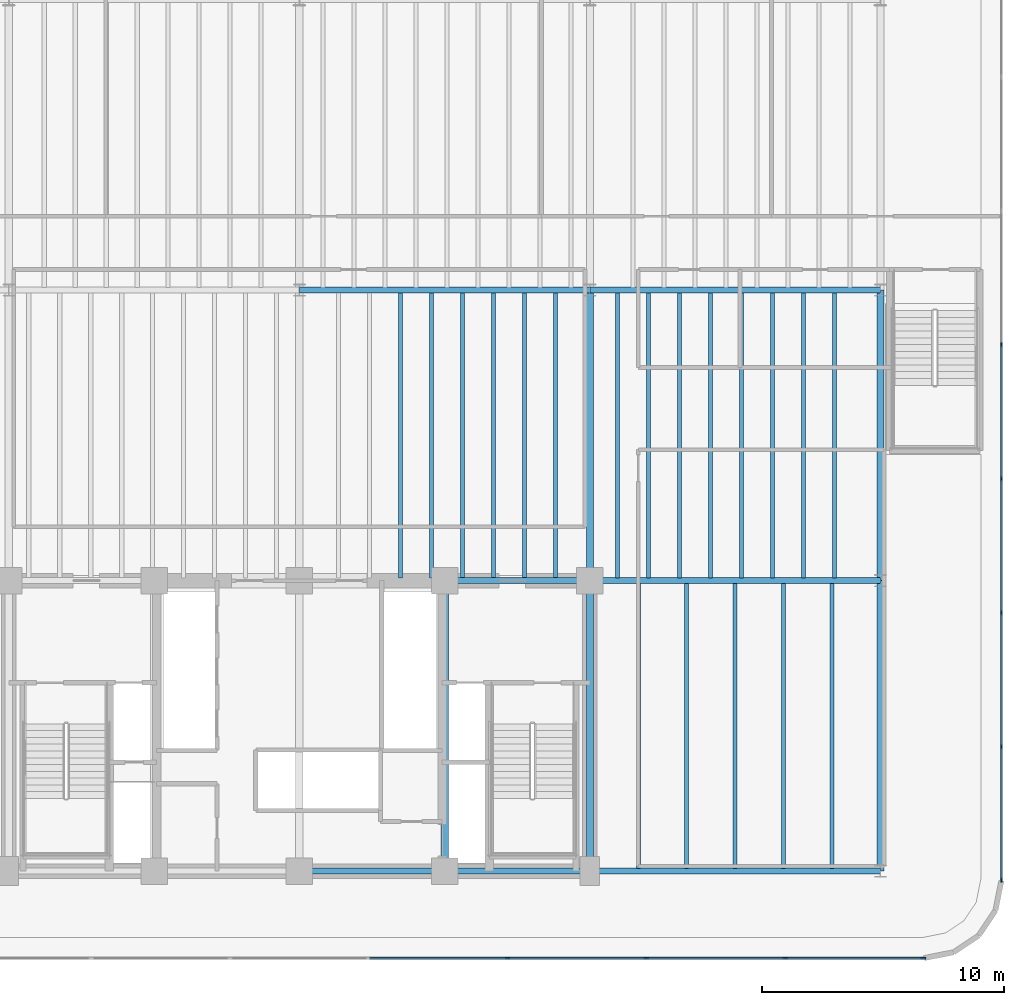
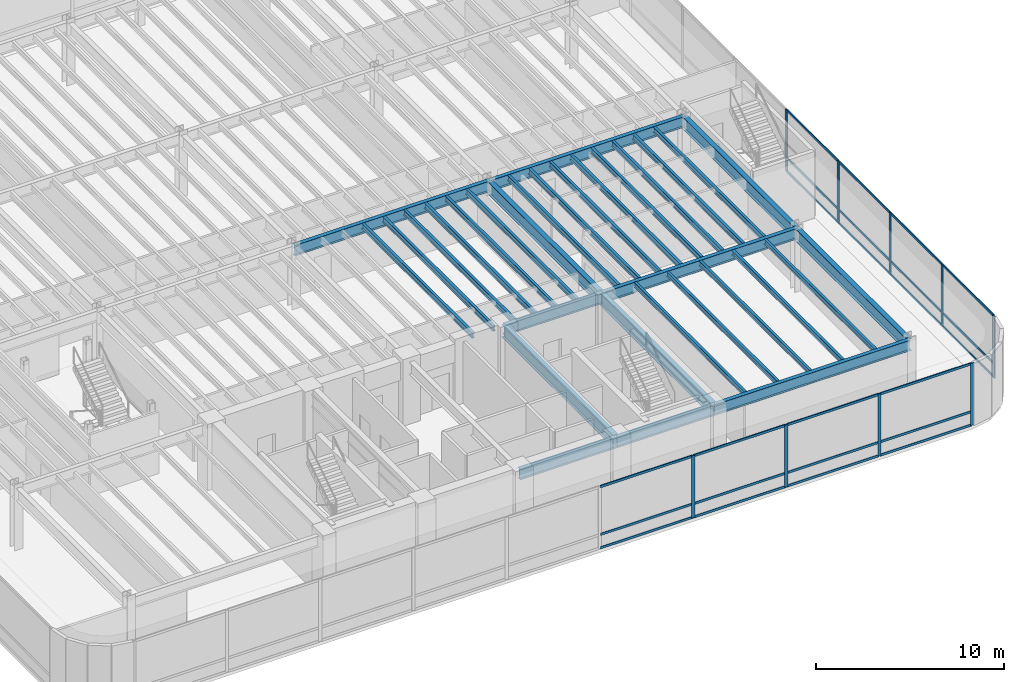
# One storey, part 6 of 19: 33 members, 31 beams, 2 elements without a shape of their own.
"""IFC4 building model written with IfcOpenShell, lengths in metres."""

from ifc_helpers import new_model, si_unit, direction, frame, origin, origin_2d, place, context, subcontext, project, spatial, rectangle, i_section, extrude, source, transform, mapped, material, layer, layer_set, material_profile, profile_set, type_object, element, aggregate, save


model = new_model("IFC4")

# Units and contexts
model_context = context("Model", 3, precision=1e-05, world=origin(), true_north=direction((0.0, 1.0)))
body_context = subcontext(model_context, "Body", "Model", "MODEL_VIEW")
ifc_project = project(units=[si_unit("LENGTHUNIT", "METRE"), si_unit("AREAUNIT", "SQUARE_METRE"), si_unit("VOLUMEUNIT", "CUBIC_METRE"), si_unit("PLANEANGLEUNIT", "RADIAN"), si_unit("MASSUNIT", "GRAM", prefix="KILO")], contexts=[model_context])

# Site, building, storey
site_placement = place(None, origin())
site = spatial("IfcSite", under=ifc_project, at=site_placement, CompositionType="ELEMENT")
building_placement = place(site_placement, origin())
building = spatial("IfcBuilding", under=site, at=building_placement, Name="Brelvock Crest Care Tower", CompositionType="ELEMENT")
storey_placement = place(building_placement, frame((0.0, 0.0, 14.0400390625)))
storey = spatial("IfcBuildingStorey", under=building, at=storey_placement, Name="L03", CompositionType="ELEMENT", Elevation=14.0400390625)

# Beams
ifc_material_1 = material(Name="Steel Grade 350", Category="steel")
ifc_material_profile_1 = material_profile(ifc_material_1, i_section(OverallWidth=0.25, OverallDepth=0.699951171875, WebThickness=0.011962890625, FlangeThickness=0.02001953125, at=origin_2d()), Name="700WB150")
ifc_profile_set_1 = profile_set([ifc_material_profile_1], Name="Steel Grade 350")
beam_type_1 = type_object("IfcBeamType", Name="BM-G4", PredefinedType="BEAM", material=ifc_profile_set_1)
shared_shape_1 = source(origin(), body_context, "Body", "SweptSolid", [
    extrude(i_section(OverallWidth=0.25, OverallDepth=0.699951171875, WebThickness=0.011962890625, FlangeThickness=0.02001953125, at=origin_2d()), origin(), (0.0, 0.0, 1.0), 6.0),
])
for number, where, z_axis, x_axis, name in (
    (1, (36.0, 6.0, 3.68994140625), (1.0, 0.0, 0.0), (0.0, 1.0, 0.0), "BM-CORES-L03-3"),
    (2, (42.0, 6.0, 3.68994140625), (1.0, 0.0, 0.0), (0.0, 1.0, 0.0), "BM-CORES-L03-4"),
    (3, (42.0, 18.0, 3.68994140625), (1.0, 0.0, 0.0), (0.0, 1.0, 0.0), "BM-COREN-L03-4"),
):
    element("IfcBeam", number, at=place(storey_placement, frame(where, z_axis=z_axis, x_axis=x_axis)), inside=storey, type_object=beam_type_1, Name=name, PredefinedType="BEAM", context=body_context, shape_type="MappedRepresentation", body=[
        mapped(shared_shape_1, transform((0.0, 0.0, 0.0), x_axis=(1.0, 0.0, 0.0), y_axis=(0.0, 1.0, 0.0), z_axis=(0.0, 0.0, 1.0), scale=1.0)),
    ])
ifc_material_profile_2 = material_profile(ifc_material_1, i_section(OverallWidth=0.300048828125, OverallDepth=0.800048828125, WebThickness=0.013916015625, FlangeThickness=0.02197265625, at=origin_2d()), Name="800WB192")
ifc_profile_set_2 = profile_set([ifc_material_profile_2], Name="Steel Grade 350")
beam_type_2 = type_object("IfcBeamType", Name="BM-G5", PredefinedType="BEAM", material=ifc_profile_set_2)
shared_shape_2 = source(origin(), body_context, "Body", "SweptSolid", [
    extrude(i_section(OverallWidth=0.300048828125, OverallDepth=0.800048828125, WebThickness=0.013916015625, FlangeThickness=0.02197265625, at=origin_2d()), origin(), (0.0, 0.0, 1.0), 12.0),
])
for number, where, z_axis, x_axis, name in (
    (4, (42.0, 6.0, 3.639892578125), (0.0, 1.0, 0.0), (-1.0, 0.0, 0.0), "BM-COREX-L03-4"),
    (5, (48.0, 6.0, 3.639892578125), (0.0, 1.0, 0.0), (-1.0, 0.0, 0.0), "BM-COREX-L03-5"),
    (6, (48.0, 18.0, 3.639892578125), (0.0, 1.0, 0.0), (-1.0, 0.0, 0.0), "BM-PODY-L03-48-18"),
    (7, (60.0, 6.0, 3.639892578125), (0.0, 1.0, 0.0), (-1.0, 0.0, 0.0), "BM-PODY-L03-60-6"),
    (8, (60.0, 18.0, 3.639892578125), (0.0, 1.0, 0.0), (-1.0, 0.0, 0.0), "BM-PODY-L03-60-18"),
):
    element("IfcBeam", number, at=place(storey_placement, frame(where, z_axis=z_axis, x_axis=x_axis)), inside=storey, type_object=beam_type_2, Name=name, PredefinedType="BEAM", context=body_context, shape_type="MappedRepresentation", body=[
        mapped(shared_shape_2, transform((0.0, 0.0, 0.0), x_axis=(1.0, 0.0, 0.0), y_axis=(0.0, 1.0, 0.0), z_axis=(0.0, 0.0, 1.0), scale=1.0)),
    ])
ifc_material_profile_3 = material_profile(ifc_material_1, i_section(OverallWidth=0.172119140625, OverallDepth=0.35888671875, WebThickness=0.008056640625, FlangeThickness=0.012939453125, FilletRadius=0.011474609375, at=origin_2d()), Name="360UB56.7")
ifc_profile_set_3 = profile_set([ifc_material_profile_3], Name="Steel Grade 350")
beam_type_3 = type_object("IfcBeamType", Name="BM-J1", PredefinedType="JOIST", material=ifc_profile_set_3)
shared_shape_3 = source(origin(), body_context, "Body", "SweptSolid", [
    extrude(i_section(OverallWidth=0.172119140625, OverallDepth=0.35888671875, WebThickness=0.008056640625, FlangeThickness=0.012939453125, FilletRadius=0.011474609375, at=origin_2d()), origin(), (0.0, 0.0, 1.0), 11.77001953125),
])
for number, where, z_axis, x_axis, name in (
    (9, (40.179931640625, 18.114990234375, 3.8603515625), (0.0, 1.0, 0.0), (-1.0, 0.0, 0.0), "BM-PODJ-L03-4018-18"),
    (10, (41.4599609375, 18.114990234375, 3.8603515625), (0.0, 1.0, 0.0), (-1.0, 0.0, 0.0), "BM-PODJ-L03-4146-18"),
    (11, (42.739990234375, 18.114990234375, 3.8603515625), (0.0, 1.0, 0.0), (-1.0, 0.0, 0.0), "BM-PODJ-L03-4274-18"),
    (12, (44.02001953125, 18.114990234375, 3.8603515625), (0.0, 1.0, 0.0), (-1.0, 0.0, 0.0), "BM-PODJ-L03-4402-18"),
    (13, (45.300048828125, 18.114990234375, 3.8603515625), (0.0, 1.0, 0.0), (-1.0, 0.0, 0.0), "BM-PODJ-L03-4530-18"),
    (14, (46.580078125, 18.114990234375, 3.8603515625), (0.0, 1.0, 0.0), (-1.0, 0.0, 0.0), "BM-PODJ-L03-4658-18"),
    (15, (49.139892578125, 18.114990234375, 3.8603515625), (0.0, 1.0, 0.0), (-1.0, 0.0, 0.0), "BM-PODJ-L03-4914-18"),
    (16, (50.419921875, 18.114990234375, 3.8603515625), (0.0, 1.0, 0.0), (-1.0, 0.0, 0.0), "BM-PODJ-L03-5042-18"),
    (17, (51.699951171875, 18.114990234375, 3.8603515625), (0.0, 1.0, 0.0), (-1.0, 0.0, 0.0), "BM-PODJ-L03-5170-18"),
    (18, (52.97998046875, 18.114990234375, 3.8603515625), (0.0, 1.0, 0.0), (-1.0, 0.0, 0.0), "BM-PODJ-L03-5298-18"),
    (19, (54.260009765625, 18.114990234375, 3.8603515625), (0.0, 1.0, 0.0), (-1.0, 0.0, 0.0), "BM-PODJ-L03-5426-18"),
    (20, (55.5400390625, 18.114990234375, 3.8603515625), (0.0, 1.0, 0.0), (-1.0, 0.0, 0.0), "BM-PODJ-L03-5554-18"),
    (21, (56.820068359375, 18.114990234375, 3.8603515625), (0.0, 1.0, 0.0), (-1.0, 0.0, 0.0), "BM-PODJ-L03-5682-18"),
    (22, (58.10009765625, 18.114990234375, 3.8603515625), (0.0, 1.0, 0.0), (-1.0, 0.0, 0.0), "BM-PODJ-L03-5810-18"),
):
    element("IfcBeam", number, at=place(storey_placement, frame(where, z_axis=z_axis, x_axis=x_axis)), inside=storey, type_object=beam_type_3, Name=name, PredefinedType="JOIST", context=body_context, shape_type="MappedRepresentation", body=[
        mapped(shared_shape_3, transform((0.0, 0.0, 0.0), x_axis=(1.0, 0.0, 0.0), y_axis=(0.0, 1.0, 0.0), z_axis=(0.0, 0.0, 1.0), scale=1.0)),
    ])
ifc_material_profile_4 = material_profile(ifc_material_1, i_section(OverallWidth=0.166015625, OverallDepth=0.306884765625, WebThickness=0.006591796875, FlangeThickness=0.01171875, FilletRadius=0.011474609375, at=origin_2d()), Name="310UB46.2")
ifc_profile_set_4 = profile_set([ifc_material_profile_4], Name="Steel Grade 350")
beam_type_4 = type_object("IfcBeamType", Name="BM-J2", PredefinedType="JOIST", material=ifc_profile_set_4)
shared_shape_4 = source(origin(), body_context, "Body", "SweptSolid", [
    extrude(i_section(OverallWidth=0.166015625, OverallDepth=0.306884765625, WebThickness=0.006591796875, FlangeThickness=0.01171875, FilletRadius=0.011474609375, at=origin_2d()), origin(), (0.0, 0.0, 1.0), 11.77001953125),
])
for number, where, z_axis, x_axis, name in (
    (23, (50.0, 6.114990234375, 3.886474609375), (0.0, 1.0, 0.0), (-1.0, 0.0, 0.0), "BM-PODSJ-L03-500"),
    (24, (52.0, 6.114990234375, 3.886474609375), (0.0, 1.0, 0.0), (-1.0, 0.0, 0.0), "BM-PODSJ-L03-520"),
    (25, (54.0, 6.114990234375, 3.886474609375), (0.0, 1.0, 0.0), (-1.0, 0.0, 0.0), "BM-PODSJ-L03-540"),
    (26, (56.0, 6.114990234375, 3.886474609375), (0.0, 1.0, 0.0), (-1.0, 0.0, 0.0), "BM-PODSJ-L03-560"),
    (27, (58.0, 6.114990234375, 3.886474609375), (0.0, 1.0, 0.0), (-1.0, 0.0, 0.0), "BM-PODSJ-L03-580"),
):
    element("IfcBeam", number, at=place(storey_placement, frame(where, z_axis=z_axis, x_axis=x_axis)), inside=storey, type_object=beam_type_4, Name=name, PredefinedType="JOIST", context=body_context, shape_type="MappedRepresentation", body=[
        mapped(shared_shape_4, transform((0.0, 0.0, 0.0), x_axis=(1.0, 0.0, 0.0), y_axis=(0.0, 1.0, 0.0), z_axis=(0.0, 0.0, 1.0), scale=1.0)),
    ])
shared_shape_5 = source(origin(), body_context, "Body", "SweptSolid", [
    extrude(i_section(OverallWidth=0.25, OverallDepth=0.699951171875, WebThickness=0.011962890625, FlangeThickness=0.02001953125, at=origin_2d()), origin(), (0.0, 0.0, 1.0), 12.0),
])
for number, where, z_axis, x_axis, name in (
    (28, (48.0, 6.0, 3.68994140625), (1.0, 0.0, 0.0), (0.0, 1.0, 0.0), "BM-PODX-L03-6-48"),
    (29, (48.0, 18.0, 3.68994140625), (1.0, 0.0, 0.0), (0.0, 1.0, 0.0), "BM-PODX-L03-18-48"),
    (30, (36.0, 30.0, 3.68994140625), (1.0, 0.0, 0.0), (0.0, 1.0, 0.0), "BM-PODX-L03-30-36"),
    (31, (48.0, 30.0, 3.68994140625), (1.0, 0.0, 0.0), (0.0, 1.0, 0.0), "BM-PODX-L03-30-48"),
):
    element("IfcBeam", number, at=place(storey_placement, frame(where, z_axis=z_axis, x_axis=x_axis)), inside=storey, type_object=beam_type_1, Name=name, PredefinedType="BEAM", context=body_context, shape_type="MappedRepresentation", body=[
        mapped(shared_shape_5, transform((0.0, 0.0, 0.0), x_axis=(1.0, 0.0, 0.0), y_axis=(0.0, 1.0, 0.0), z_axis=(0.0, 0.0, 1.0), scale=1.0)),
    ])

# Curtain wall, members
ifc_material_2 = material(Name="Dark Glass Double Glazed Low-E", Category="glass")
ifc_layer = layer(ifc_material_2, 0.179931640625, Name="CWS-1")
ifc_layer_set = layer_set([ifc_layer], Name="Dark Glass Double Glazed Low-E")
curtain_wall_type = type_object("IfcCurtainWallType", Name="CWS-1", PredefinedType="NOTDEFINED", material=ifc_layer_set)
curtain_wall_1_placement = place(storey_placement, origin())
curtain_wall_1 = element("IfcCurtainWall", 32, at=curtain_wall_1_placement, inside=storey, type_object=curtain_wall_type, Name="L03 Curtain Wall E14", PredefinedType="NOTDEFINED")
ifc_material_3 = material(Name="Aluminium 6063-T6", Category="aluminium")
ifc_material_profile_5 = material_profile(ifc_material_3, rectangle(XDim=0.06494140625, YDim=0.199951171875, at=origin_2d()), Name="ALU65x200")
ifc_profile_set_5 = profile_set([ifc_material_profile_5], Name="Aluminium 6063-T6")
member_type_1 = type_object("IfcMemberType", Name="CWM-1", PredefinedType="MULLION", material=ifc_profile_set_5)
shared_shape_6 = source(origin(), body_context, "Body", "SweptSolid", [
    extrude(rectangle(XDim=0.06494140625, YDim=0.199951171875, at=origin_2d()), origin(), (0.0, 0.0, 1.0), 4.0400390625),
])
member_1_placement = place(storey_placement, frame((65.0, 27.7333984375, 0.0), z_axis=(0.0, 0.0, 1.0), x_axis=(1.0, 0.0, 0.0)))
member_1 = element("IfcMember", 33, at=member_1_placement, type_object=member_type_1, Name="CW-1 mullion 6", PredefinedType="MULLION", context=body_context, shape_type="MappedRepresentation", body=[
    mapped(shared_shape_6, transform((0.0, 0.0, 0.0), x_axis=(1.0, 0.0, 0.0), y_axis=(0.0, 1.0, 0.0), z_axis=(0.0, 0.0, 1.0), scale=1.0)),
])
member_2_placement = place(storey_placement, frame((65.0, 22.199951171875, 0.0), z_axis=(0.0, 0.0, 1.0), x_axis=(1.0, 0.0, 0.0)))
member_2 = element("IfcMember", 34, at=member_2_placement, type_object=member_type_1, Name="CW-1 mullion 7", PredefinedType="MULLION", context=body_context, shape_type="MappedRepresentation", body=[
    mapped(shared_shape_6, transform((0.0, 0.0, 0.0), x_axis=(1.0, 0.0, 0.0), y_axis=(0.0, 1.0, 0.0), z_axis=(0.0, 0.0, 1.0), scale=1.0)),
])
member_3_placement = place(storey_placement, frame((65.0, 16.666748046875, 0.0), z_axis=(0.0, 0.0, 1.0), x_axis=(1.0, 0.0, 0.0)))
member_3 = element("IfcMember", 35, at=member_3_placement, type_object=member_type_1, Name="CW-1 mullion 8", PredefinedType="MULLION", context=body_context, shape_type="MappedRepresentation", body=[
    mapped(shared_shape_6, transform((0.0, 0.0, 0.0), x_axis=(1.0, 0.0, 0.0), y_axis=(0.0, 1.0, 0.0), z_axis=(0.0, 0.0, 1.0), scale=1.0)),
])
member_4_placement = place(storey_placement, frame((65.0, 11.13330078125, 0.0), z_axis=(0.0, 0.0, 1.0), x_axis=(1.0, 0.0, 0.0)))
member_4 = element("IfcMember", 36, at=member_4_placement, type_object=member_type_1, Name="CW-1 mullion 9", PredefinedType="MULLION", context=body_context, shape_type="MappedRepresentation", body=[
    mapped(shared_shape_6, transform((0.0, 0.0, 0.0), x_axis=(1.0, 0.0, 0.0), y_axis=(0.0, 1.0, 0.0), z_axis=(0.0, 0.0, 1.0), scale=1.0)),
])
member_5_placement = place(storey_placement, frame((65.0, 5.632568359375, 0.0), z_axis=(0.0, 0.0, 1.0), x_axis=(1.0, 0.0, 0.0)))
member_5 = element("IfcMember", 37, at=member_5_placement, type_object=member_type_1, Name="CW-1 mullion 10", PredefinedType="MULLION", context=body_context, shape_type="MappedRepresentation", body=[
    mapped(shared_shape_6, transform((0.0, 0.0, 0.0), x_axis=(1.0, 0.0, 0.0), y_axis=(0.0, 1.0, 0.0), z_axis=(0.0, 0.0, 1.0), scale=1.0)),
])

curtain_wall_2_placement = place(storey_placement, origin())
curtain_wall_2 = element("IfcCurtainWall", 38, at=curtain_wall_2_placement, inside=storey, type_object=curtain_wall_type, Name="L03 Curtain Wall E19", PredefinedType="NOTDEFINED")
member_6_placement = place(storey_placement, frame((61.767578125, 2.39990234375, 0.0), z_axis=(0.0, 0.0, 1.0), x_axis=(0.0, -1.0, 0.0)))
member_6 = element("IfcMember", 39, at=member_6_placement, type_object=member_type_1, Name="CW-1 mullion 1", PredefinedType="MULLION", context=body_context, shape_type="MappedRepresentation", body=[
    mapped(shared_shape_6, transform((0.0, 0.0, 0.0), x_axis=(1.0, 0.0, 0.0), y_axis=(0.0, 1.0, 0.0), z_axis=(0.0, 0.0, 1.0), scale=1.0)),
])
member_7_placement = place(storey_placement, frame((56.066650390625, 2.39990234375, 0.0), z_axis=(0.0, 0.0, 1.0), x_axis=(0.0, -1.0, 0.0)))
member_7 = element("IfcMember", 40, at=member_7_placement, type_object=member_type_1, Name="CW-1 mullion 2", PredefinedType="MULLION", context=body_context, shape_type="MappedRepresentation", body=[
    mapped(shared_shape_6, transform((0.0, 0.0, 0.0), x_axis=(1.0, 0.0, 0.0), y_axis=(0.0, 1.0, 0.0), z_axis=(0.0, 0.0, 1.0), scale=1.0)),
])
member_8_placement = place(storey_placement, frame((50.333251953125, 2.39990234375, 0.0), z_axis=(0.0, 0.0, 1.0), x_axis=(0.0, -1.0, 0.0)))
member_8 = element("IfcMember", 41, at=member_8_placement, type_object=member_type_1, Name="CW-1 mullion 3", PredefinedType="MULLION", context=body_context, shape_type="MappedRepresentation", body=[
    mapped(shared_shape_6, transform((0.0, 0.0, 0.0), x_axis=(1.0, 0.0, 0.0), y_axis=(0.0, 1.0, 0.0), z_axis=(0.0, 0.0, 1.0), scale=1.0)),
])
member_9_placement = place(storey_placement, frame((44.60009765625, 2.39990234375, 0.0), z_axis=(0.0, 0.0, 1.0), x_axis=(0.0, -1.0, 0.0)))
member_9 = element("IfcMember", 42, at=member_9_placement, type_object=member_type_1, Name="CW-1 mullion 4", PredefinedType="MULLION", context=body_context, shape_type="MappedRepresentation", body=[
    mapped(shared_shape_6, transform((0.0, 0.0, 0.0), x_axis=(1.0, 0.0, 0.0), y_axis=(0.0, 1.0, 0.0), z_axis=(0.0, 0.0, 1.0), scale=1.0)),
])

# Member
ifc_material_profile_6 = material_profile(ifc_material_3, rectangle(XDim=0.06494140625, YDim=0.14990234375, at=origin_2d()), Name="ALU65x150")
ifc_profile_set_6 = profile_set([ifc_material_profile_6], Name="Aluminium 6063-T6")
member_type_2 = type_object("IfcMemberType", Name="CWT-1", PredefinedType="USERDEFINED", material=ifc_profile_set_6)
shared_shape_7 = source(origin(), body_context, "Body", "SweptSolid", [
    extrude(rectangle(XDim=0.06494140625, YDim=0.14990234375, at=origin_2d()), origin(), (0.0, 0.0, 1.0), 5.435791015625),
])
member_10_placement = place(storey_placement, frame((65.0, 11.100830078125, 0.032470703125), z_axis=(0.0, -1.0, 0.0), x_axis=(1.0, 0.0, 0.0)))
member_10 = element("IfcMember", 43, at=member_10_placement, type_object=member_type_2, Name="CW-1 transom 9.1", ObjectType="TRANSOM", PredefinedType="USERDEFINED", context=body_context, shape_type="MappedRepresentation", body=[
    mapped(shared_shape_7, transform((0.0, 0.0, 0.0), x_axis=(1.0, 0.0, 0.0), y_axis=(0.0, 1.0, 0.0), z_axis=(0.0, 0.0, 1.0), scale=1.0)),
])

member_11_placement = place(storey_placement, frame((65.0, 11.100830078125, 0.89990234375), z_axis=(0.0, -1.0, 0.0), x_axis=(1.0, 0.0, 0.0)))
member_11 = element("IfcMember", 44, at=member_11_placement, type_object=member_type_2, Name="CW-1 transom 9.2", ObjectType="TRANSOM", PredefinedType="USERDEFINED", context=body_context, shape_type="MappedRepresentation", body=[
    mapped(shared_shape_7, transform((0.0, 0.0, 0.0), x_axis=(1.0, 0.0, 0.0), y_axis=(0.0, 1.0, 0.0), z_axis=(0.0, 0.0, 1.0), scale=1.0)),
])

member_12_placement = place(storey_placement, frame((65.0, 11.100830078125, 4.007568359375), z_axis=(0.0, -1.0, 0.0), x_axis=(1.0, 0.0, 0.0)))
member_12 = element("IfcMember", 45, at=member_12_placement, type_object=member_type_2, Name="CW-1 transom 9.3", ObjectType="TRANSOM", PredefinedType="USERDEFINED", context=body_context, shape_type="MappedRepresentation", body=[
    mapped(shared_shape_7, transform((0.0, 0.0, 0.0), x_axis=(1.0, 0.0, 0.0), y_axis=(0.0, 1.0, 0.0), z_axis=(0.0, 0.0, 1.0), scale=1.0)),
])

shared_shape_8 = source(origin(), body_context, "Body", "SweptSolid", [
    extrude(rectangle(XDim=0.06494140625, YDim=0.14990234375, at=origin_2d()), origin(), (0.0, 0.0, 1.0), 5.468505859375),
])
member_13_placement = place(storey_placement, frame((65.0, 27.700927734375, 0.032470703125), z_axis=(0.0, -1.0, 0.0), x_axis=(1.0, 0.0, 0.0)))
member_13 = element("IfcMember", 46, at=member_13_placement, type_object=member_type_2, Name="CW-1 transom 6.1", ObjectType="TRANSOM", PredefinedType="USERDEFINED", context=body_context, shape_type="MappedRepresentation", body=[
    mapped(shared_shape_8, transform((0.0, 0.0, 0.0), x_axis=(1.0, 0.0, 0.0), y_axis=(0.0, 1.0, 0.0), z_axis=(0.0, 0.0, 1.0), scale=1.0)),
])

member_14_placement = place(storey_placement, frame((65.0, 27.700927734375, 0.89990234375), z_axis=(0.0, -1.0, 0.0), x_axis=(1.0, 0.0, 0.0)))
member_14 = element("IfcMember", 47, at=member_14_placement, type_object=member_type_2, Name="CW-1 transom 6.2", ObjectType="TRANSOM", PredefinedType="USERDEFINED", context=body_context, shape_type="MappedRepresentation", body=[
    mapped(shared_shape_8, transform((0.0, 0.0, 0.0), x_axis=(1.0, 0.0, 0.0), y_axis=(0.0, 1.0, 0.0), z_axis=(0.0, 0.0, 1.0), scale=1.0)),
])

member_15_placement = place(storey_placement, frame((65.0, 27.700927734375, 4.007568359375), z_axis=(0.0, -1.0, 0.0), x_axis=(1.0, 0.0, 0.0)))
member_15 = element("IfcMember", 48, at=member_15_placement, type_object=member_type_2, Name="CW-1 transom 6.3", ObjectType="TRANSOM", PredefinedType="USERDEFINED", context=body_context, shape_type="MappedRepresentation", body=[
    mapped(shared_shape_8, transform((0.0, 0.0, 0.0), x_axis=(1.0, 0.0, 0.0), y_axis=(0.0, 1.0, 0.0), z_axis=(0.0, 0.0, 1.0), scale=1.0)),
])

member_16_placement = place(storey_placement, frame((65.0, 16.63427734375, 0.032470703125), z_axis=(0.0, -1.0, 0.0), x_axis=(1.0, 0.0, 0.0)))
member_16 = element("IfcMember", 49, at=member_16_placement, type_object=member_type_2, Name="CW-1 transom 8.1", ObjectType="TRANSOM", PredefinedType="USERDEFINED", context=body_context, shape_type="MappedRepresentation", body=[
    mapped(shared_shape_8, transform((0.0, 0.0, 0.0), x_axis=(1.0, 0.0, 0.0), y_axis=(0.0, 1.0, 0.0), z_axis=(0.0, 0.0, 1.0), scale=1.0)),
])

member_17_placement = place(storey_placement, frame((65.0, 16.63427734375, 0.89990234375), z_axis=(0.0, -1.0, 0.0), x_axis=(1.0, 0.0, 0.0)))
member_17 = element("IfcMember", 50, at=member_17_placement, type_object=member_type_2, Name="CW-1 transom 8.2", ObjectType="TRANSOM", PredefinedType="USERDEFINED", context=body_context, shape_type="MappedRepresentation", body=[
    mapped(shared_shape_8, transform((0.0, 0.0, 0.0), x_axis=(1.0, 0.0, 0.0), y_axis=(0.0, 1.0, 0.0), z_axis=(0.0, 0.0, 1.0), scale=1.0)),
])

member_18_placement = place(storey_placement, frame((65.0, 16.63427734375, 4.007568359375), z_axis=(0.0, -1.0, 0.0), x_axis=(1.0, 0.0, 0.0)))
member_18 = element("IfcMember", 51, at=member_18_placement, type_object=member_type_2, Name="CW-1 transom 8.3", ObjectType="TRANSOM", PredefinedType="USERDEFINED", context=body_context, shape_type="MappedRepresentation", body=[
    mapped(shared_shape_8, transform((0.0, 0.0, 0.0), x_axis=(1.0, 0.0, 0.0), y_axis=(0.0, 1.0, 0.0), z_axis=(0.0, 0.0, 1.0), scale=1.0)),
])

shared_shape_9 = source(origin(), body_context, "Body", "SweptSolid", [
    extrude(rectangle(XDim=0.06494140625, YDim=0.14990234375, at=origin_2d()), origin(), (0.0, 0.0, 1.0), 5.46826171875),
])
member_19_placement = place(storey_placement, frame((65.0, 22.16748046875, 0.032470703125), z_axis=(0.0, -1.0, 0.0), x_axis=(1.0, 0.0, 0.0)))
member_19 = element("IfcMember", 52, at=member_19_placement, type_object=member_type_2, Name="CW-1 transom 7.1", ObjectType="TRANSOM", PredefinedType="USERDEFINED", context=body_context, shape_type="MappedRepresentation", body=[
    mapped(shared_shape_9, transform((0.0, 0.0, 0.0), x_axis=(1.0, 0.0, 0.0), y_axis=(0.0, 1.0, 0.0), z_axis=(0.0, 0.0, 1.0), scale=1.0)),
])

member_20_placement = place(storey_placement, frame((65.0, 22.16748046875, 0.89990234375), z_axis=(0.0, -1.0, 0.0), x_axis=(1.0, 0.0, 0.0)))
member_20 = element("IfcMember", 53, at=member_20_placement, type_object=member_type_2, Name="CW-1 transom 7.2", ObjectType="TRANSOM", PredefinedType="USERDEFINED", context=body_context, shape_type="MappedRepresentation", body=[
    mapped(shared_shape_9, transform((0.0, 0.0, 0.0), x_axis=(1.0, 0.0, 0.0), y_axis=(0.0, 1.0, 0.0), z_axis=(0.0, 0.0, 1.0), scale=1.0)),
])

member_21_placement = place(storey_placement, frame((65.0, 22.16748046875, 4.007568359375), z_axis=(0.0, -1.0, 0.0), x_axis=(1.0, 0.0, 0.0)))
member_21 = element("IfcMember", 54, at=member_21_placement, type_object=member_type_2, Name="CW-1 transom 7.3", ObjectType="TRANSOM", PredefinedType="USERDEFINED", context=body_context, shape_type="MappedRepresentation", body=[
    mapped(shared_shape_9, transform((0.0, 0.0, 0.0), x_axis=(1.0, 0.0, 0.0), y_axis=(0.0, 1.0, 0.0), z_axis=(0.0, 0.0, 1.0), scale=1.0)),
])

aggregate(curtain_wall_1, [member_1, member_2, member_3, member_4, member_5, member_13, member_14, member_15, member_19, member_20, member_21, member_16, member_17, member_18, member_10, member_11, member_12])

shared_shape_10 = source(origin(), body_context, "Body", "SweptSolid", [
    extrude(rectangle(XDim=0.06494140625, YDim=0.14990234375, at=origin_2d()), origin(), (0.0, 0.0, 1.0), 5.635986328125),
])
member_22_placement = place(storey_placement, frame((61.735107421875, 2.39990234375, 0.032470703125), z_axis=(-1.0, 0.0, 0.0), x_axis=(0.0, -1.0, 0.0)))
member_22 = element("IfcMember", 55, at=member_22_placement, type_object=member_type_2, Name="CW-1 transom 1.1", ObjectType="TRANSOM", PredefinedType="USERDEFINED", context=body_context, shape_type="MappedRepresentation", body=[
    mapped(shared_shape_10, transform((0.0, 0.0, 0.0), x_axis=(1.0, 0.0, 0.0), y_axis=(0.0, 1.0, 0.0), z_axis=(0.0, 0.0, 1.0), scale=1.0)),
])

member_23_placement = place(storey_placement, frame((61.735107421875, 2.39990234375, 0.89990234375), z_axis=(-1.0, 0.0, 0.0), x_axis=(0.0, -1.0, 0.0)))
member_23 = element("IfcMember", 56, at=member_23_placement, type_object=member_type_2, Name="CW-1 transom 1.2", ObjectType="TRANSOM", PredefinedType="USERDEFINED", context=body_context, shape_type="MappedRepresentation", body=[
    mapped(shared_shape_10, transform((0.0, 0.0, 0.0), x_axis=(1.0, 0.0, 0.0), y_axis=(0.0, 1.0, 0.0), z_axis=(0.0, 0.0, 1.0), scale=1.0)),
])

member_24_placement = place(storey_placement, frame((61.735107421875, 2.39990234375, 4.007568359375), z_axis=(-1.0, 0.0, 0.0), x_axis=(0.0, -1.0, 0.0)))
member_24 = element("IfcMember", 57, at=member_24_placement, type_object=member_type_2, Name="CW-1 transom 1.3", ObjectType="TRANSOM", PredefinedType="USERDEFINED", context=body_context, shape_type="MappedRepresentation", body=[
    mapped(shared_shape_10, transform((0.0, 0.0, 0.0), x_axis=(1.0, 0.0, 0.0), y_axis=(0.0, 1.0, 0.0), z_axis=(0.0, 0.0, 1.0), scale=1.0)),
])

shared_shape_11 = source(origin(), body_context, "Body", "SweptSolid", [
    extrude(rectangle(XDim=0.06494140625, YDim=0.14990234375, at=origin_2d()), origin(), (0.0, 0.0, 1.0), 5.66845703125),
])
member_25_placement = place(storey_placement, frame((56.0341796875, 2.39990234375, 0.032470703125), z_axis=(-1.0, 0.0, 0.0), x_axis=(0.0, -1.0, 0.0)))
member_25 = element("IfcMember", 58, at=member_25_placement, type_object=member_type_2, Name="CW-1 transom 2.1", ObjectType="TRANSOM", PredefinedType="USERDEFINED", context=body_context, shape_type="MappedRepresentation", body=[
    mapped(shared_shape_11, transform((0.0, 0.0, 0.0), x_axis=(1.0, 0.0, 0.0), y_axis=(0.0, 1.0, 0.0), z_axis=(0.0, 0.0, 1.0), scale=1.0)),
])

member_26_placement = place(storey_placement, frame((56.0341796875, 2.39990234375, 0.89990234375), z_axis=(-1.0, 0.0, 0.0), x_axis=(0.0, -1.0, 0.0)))
member_26 = element("IfcMember", 59, at=member_26_placement, type_object=member_type_2, Name="CW-1 transom 2.2", ObjectType="TRANSOM", PredefinedType="USERDEFINED", context=body_context, shape_type="MappedRepresentation", body=[
    mapped(shared_shape_11, transform((0.0, 0.0, 0.0), x_axis=(1.0, 0.0, 0.0), y_axis=(0.0, 1.0, 0.0), z_axis=(0.0, 0.0, 1.0), scale=1.0)),
])

member_27_placement = place(storey_placement, frame((56.0341796875, 2.39990234375, 4.007568359375), z_axis=(-1.0, 0.0, 0.0), x_axis=(0.0, -1.0, 0.0)))
member_27 = element("IfcMember", 60, at=member_27_placement, type_object=member_type_2, Name="CW-1 transom 2.3", ObjectType="TRANSOM", PredefinedType="USERDEFINED", context=body_context, shape_type="MappedRepresentation", body=[
    mapped(shared_shape_11, transform((0.0, 0.0, 0.0), x_axis=(1.0, 0.0, 0.0), y_axis=(0.0, 1.0, 0.0), z_axis=(0.0, 0.0, 1.0), scale=1.0)),
])

shared_shape_12 = source(origin(), body_context, "Body", "SweptSolid", [
    extrude(rectangle(XDim=0.06494140625, YDim=0.14990234375, at=origin_2d()), origin(), (0.0, 0.0, 1.0), 5.668212890625),
])
member_28_placement = place(storey_placement, frame((50.30078125, 2.39990234375, 0.032470703125), z_axis=(-1.0, 0.0, 0.0), x_axis=(0.0, -1.0, 0.0)))
member_28 = element("IfcMember", 61, at=member_28_placement, type_object=member_type_2, Name="CW-1 transom 3.1", ObjectType="TRANSOM", PredefinedType="USERDEFINED", context=body_context, shape_type="MappedRepresentation", body=[
    mapped(shared_shape_12, transform((0.0, 0.0, 0.0), x_axis=(1.0, 0.0, 0.0), y_axis=(0.0, 1.0, 0.0), z_axis=(0.0, 0.0, 1.0), scale=1.0)),
])

member_29_placement = place(storey_placement, frame((50.30078125, 2.39990234375, 0.89990234375), z_axis=(-1.0, 0.0, 0.0), x_axis=(0.0, -1.0, 0.0)))
member_29 = element("IfcMember", 62, at=member_29_placement, type_object=member_type_2, Name="CW-1 transom 3.2", ObjectType="TRANSOM", PredefinedType="USERDEFINED", context=body_context, shape_type="MappedRepresentation", body=[
    mapped(shared_shape_12, transform((0.0, 0.0, 0.0), x_axis=(1.0, 0.0, 0.0), y_axis=(0.0, 1.0, 0.0), z_axis=(0.0, 0.0, 1.0), scale=1.0)),
])

member_30_placement = place(storey_placement, frame((50.30078125, 2.39990234375, 4.007568359375), z_axis=(-1.0, 0.0, 0.0), x_axis=(0.0, -1.0, 0.0)))
member_30 = element("IfcMember", 63, at=member_30_placement, type_object=member_type_2, Name="CW-1 transom 3.3", ObjectType="TRANSOM", PredefinedType="USERDEFINED", context=body_context, shape_type="MappedRepresentation", body=[
    mapped(shared_shape_12, transform((0.0, 0.0, 0.0), x_axis=(1.0, 0.0, 0.0), y_axis=(0.0, 1.0, 0.0), z_axis=(0.0, 0.0, 1.0), scale=1.0)),
])

member_31_placement = place(storey_placement, frame((44.5673828125, 2.39990234375, 0.032470703125), z_axis=(-1.0, 0.0, 0.0), x_axis=(0.0, -1.0, 0.0)))
member_31 = element("IfcMember", 64, at=member_31_placement, type_object=member_type_2, Name="CW-1 transom 4.1", ObjectType="TRANSOM", PredefinedType="USERDEFINED", context=body_context, shape_type="MappedRepresentation", body=[
    mapped(shared_shape_12, transform((0.0, 0.0, 0.0), x_axis=(1.0, 0.0, 0.0), y_axis=(0.0, 1.0, 0.0), z_axis=(0.0, 0.0, 1.0), scale=1.0)),
])

member_32_placement = place(storey_placement, frame((44.5673828125, 2.39990234375, 0.89990234375), z_axis=(-1.0, 0.0, 0.0), x_axis=(0.0, -1.0, 0.0)))
member_32 = element("IfcMember", 65, at=member_32_placement, type_object=member_type_2, Name="CW-1 transom 4.2", ObjectType="TRANSOM", PredefinedType="USERDEFINED", context=body_context, shape_type="MappedRepresentation", body=[
    mapped(shared_shape_12, transform((0.0, 0.0, 0.0), x_axis=(1.0, 0.0, 0.0), y_axis=(0.0, 1.0, 0.0), z_axis=(0.0, 0.0, 1.0), scale=1.0)),
])

member_33_placement = place(storey_placement, frame((44.5673828125, 2.39990234375, 4.007568359375), z_axis=(-1.0, 0.0, 0.0), x_axis=(0.0, -1.0, 0.0)))
member_33 = element("IfcMember", 66, at=member_33_placement, type_object=member_type_2, Name="CW-1 transom 4.3", ObjectType="TRANSOM", PredefinedType="USERDEFINED", context=body_context, shape_type="MappedRepresentation", body=[
    mapped(shared_shape_12, transform((0.0, 0.0, 0.0), x_axis=(1.0, 0.0, 0.0), y_axis=(0.0, 1.0, 0.0), z_axis=(0.0, 0.0, 1.0), scale=1.0)),
])

aggregate(curtain_wall_2, [member_6, member_7, member_8, member_9, member_22, member_23, member_24, member_25, member_26, member_27, member_28, member_29, member_30, member_31, member_32, member_33])

save(model, "model.ifc")
